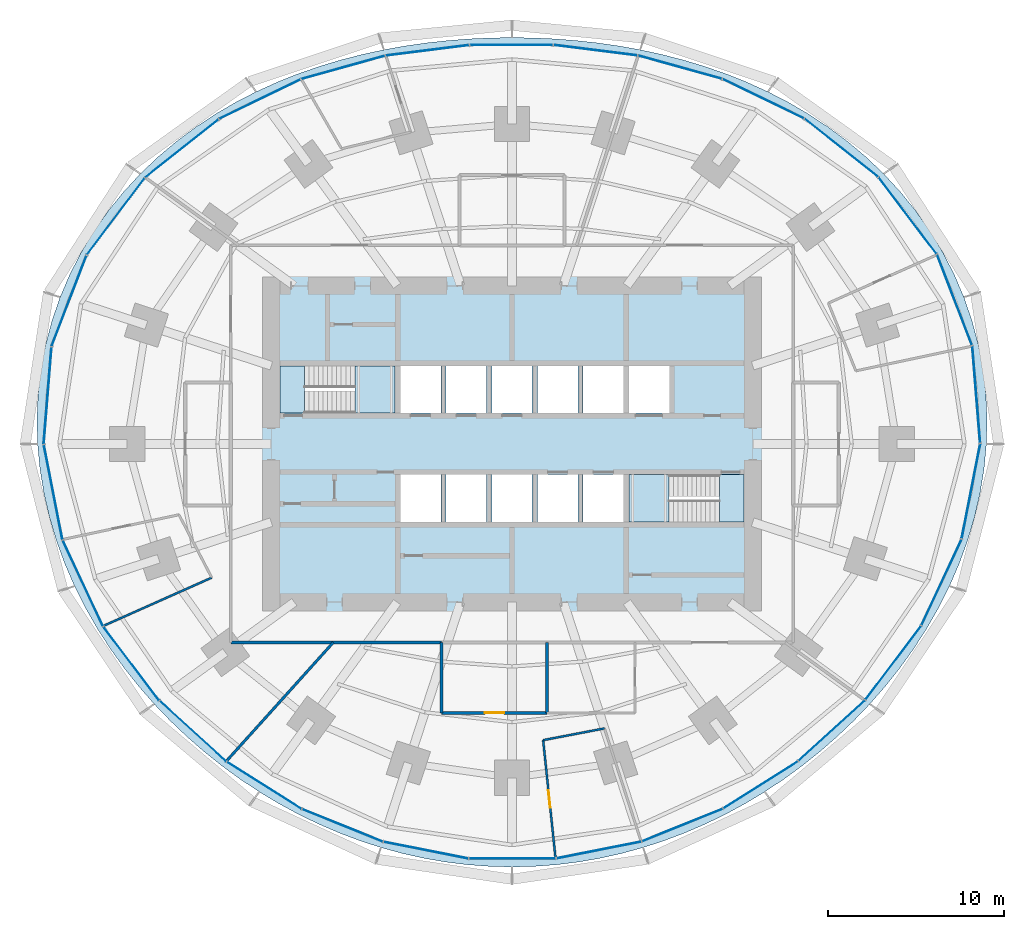
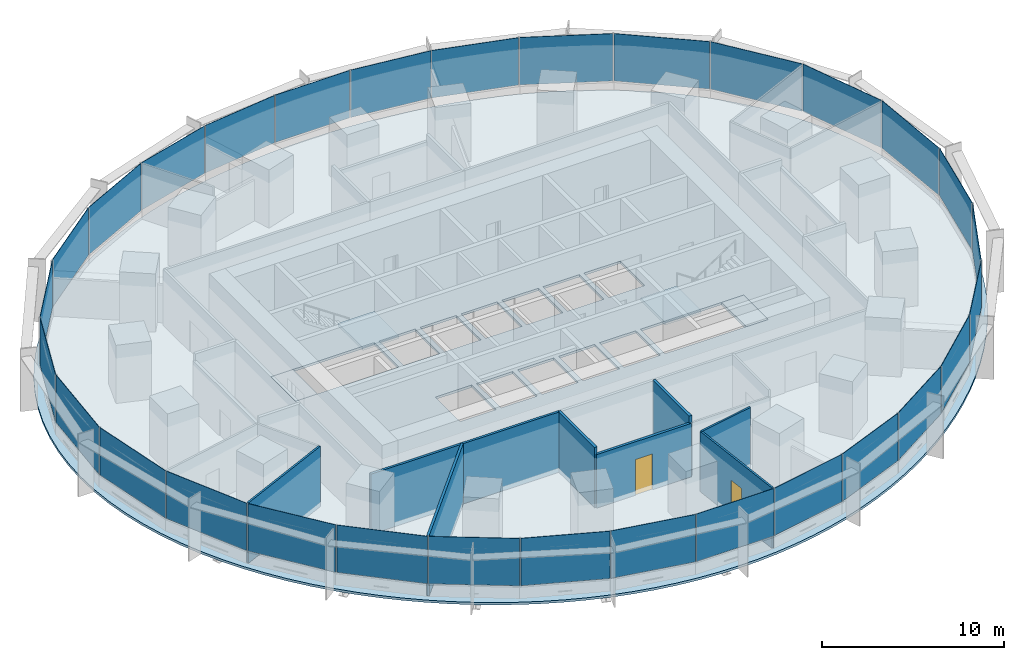
# One storey, part 10 of 15: 30 plates, 8 walls, 5 slabs, 2 doors, 2 openings, 8 elements without a shape of their own.
"""IFC4 building model written with IfcOpenShell, lengths in metres."""

from ifc_helpers import new_model, si_unit, direction, frame, frame_2d, origin, origin_2d, place, context, subcontext, project, spatial, polyline, rectangle, outline, extrude, material, layer, layer_set, type_object, element, fill, aggregate, save


model = new_model("IFC4")

# Units and contexts
model_context = context("Model", 3, precision=1e-05, world=origin(), true_north=direction((0.0, 1.0)))
body_context = subcontext(model_context, "Body", "Model", "MODEL_VIEW")
ifc_project = project(units=[si_unit("LENGTHUNIT", "METRE"), si_unit("AREAUNIT", "SQUARE_METRE"), si_unit("VOLUMEUNIT", "CUBIC_METRE"), si_unit("PLANEANGLEUNIT", "RADIAN"), si_unit("MASSUNIT", "GRAM", prefix="KILO")], contexts=[model_context])

# Site, building, storey
site_placement = place(None, origin())
site = spatial("IfcSite", under=ifc_project, at=site_placement, CompositionType="ELEMENT")
building_placement = place(site_placement, origin())
building = spatial("IfcBuilding", under=site, at=building_placement, Name="Marramba Exchange Tower", CompositionType="ELEMENT")
storey_placement = place(building_placement, frame((0.0, 0.0, 65.800048828125)))
storey = spatial("IfcBuildingStorey", under=building, at=storey_placement, Name="L15", CompositionType="ELEMENT", Elevation=65.800048828125)

# Slab
ifc_material_1 = material(Name="Concrete N40", Category="concrete")
ifc_layer_1 = layer(ifc_material_1, 0.159912109375)
ifc_layer_set_1 = layer_set([ifc_layer_1], Name="Composite floor slab 160")
slab_type_1 = type_object("IfcSlabType", Name="Composite floor slab 160", PredefinedType="FLOOR", material=ifc_layer_set_1)
slab_1_placement = place(storey_placement, frame((0.0, 0.0, -0.16015625)))
element("IfcSlab", 1, at=slab_1_placement, inside=storey, type_object=slab_type_1, Name="Floor slab L15", PredefinedType="FLOOR", context=body_context, shape_type="SweptSolid", body=[
    extrude(outline(polyline([(27.0, 0.0), (27.035888671875, 1.4169921875), (26.97265625, 2.8349609375), (26.80859375, 4.24609375), (26.5439453125, 5.64208984375), (26.179443359375, 7.0146484375), (25.717529296875, 8.356201171875), (25.16162109375, 9.65869140625), (24.516357421875, 10.915283203125), (23.786865234375, 12.1201171875), (22.9794921875, 13.267333984375), (22.10107421875, 14.3525390625), (21.158447265625, 15.37255859375), (20.159423828125, 16.32470703125), (19.11083984375, 17.20751953125), (18.020263671875, 18.020263671875), (16.89453125, 18.763427734375), (15.740478515625, 19.437744140625), (14.563720703125, 20.04541015625), (13.3701171875, 20.588134765625), (12.164306640625, 21.069091796875), (10.9501953125, 21.4912109375), (9.7314453125, 21.857421875), (8.5107421875, 22.1708984375), (7.289794921875, 22.435302734375), (6.06982421875, 22.6533203125), (4.85205078125, 22.827392578125), (3.636474609375, 22.96044921875), (2.423095703125, 23.053955078125), (1.211181640625, 23.109619140625), (0.0, 23.1279296875), (-1.211181640625, 23.109619140625), (-2.423095703125, 23.053955078125), (-3.636474609375, 22.96044921875), (-4.85205078125, 22.827392578125), (-6.06982421875, 22.6533203125), (-7.289794921875, 22.435302734375), (-8.5107421875, 22.1708984375), (-9.7314453125, 21.857421875), (-10.9501953125, 21.4912109375), (-12.164306640625, 21.069091796875), (-13.3701171875, 20.588134765625), (-14.563720703125, 20.04541015625), (-15.740478515625, 19.437744140625), (-16.89453125, 18.763427734375), (-18.020263671875, 18.020263671875), (-19.11083984375, 17.20751953125), (-20.159423828125, 16.32470703125), (-21.158447265625, 15.37255859375), (-22.10107421875, 14.3525390625), (-22.9794921875, 13.267333984375), (-23.786865234375, 12.1201171875), (-24.516357421875, 10.915283203125), (-25.16162109375, 9.65869140625), (-25.717529296875, 8.356201171875), (-26.179443359375, 7.0146484375), (-26.5439453125, 5.64208984375), (-26.80859375, 4.24609375), (-26.97265625, 2.8349609375), (-27.035888671875, 1.4169921875), (-27.0, 0.0), (-26.8671875, -1.407958984375), (-26.64111328125, -2.800048828125), (-26.326171875, -4.169677734375), (-25.927001953125, -5.510986328125), (-25.44921875, -6.819091796875), (-24.8984375, -8.090087890625), (-24.280517578125, -9.320556640625), (-23.60107421875, -10.5078125), (-22.865234375, -11.650390625), (-22.078369140625, -12.7470703125), (-21.244873046875, -13.796630859375), (-20.36865234375, -14.798583984375), (-19.453369140625, -15.753173828125), (-18.502197265625, -16.659423828125), (-17.517578125, -17.517578125), (-16.501953125, -18.327392578125), (-15.457275390625, -19.088134765625), (-14.385009765625, -19.799072265625), (-13.286865234375, -20.459716796875), (-12.164306640625, -21.069091796875), (-11.01904296875, -21.6259765625), (-9.8525390625, -22.129150390625), (-8.66650390625, -22.577392578125), (-7.463134765625, -22.968994140625), (-6.244140625, -23.30322265625), (-5.01171875, -23.578369140625), (-3.7685546875, -23.793701171875), (-2.51708984375, -23.947998046875), (-1.260009765625, -24.041015625), (0.0, -24.072021484375), (1.260009765625, -24.041015625), (2.51708984375, -23.947998046875), (3.7685546875, -23.793701171875), (5.01171875, -23.578369140625), (6.244140625, -23.30322265625), (7.463134765625, -22.968994140625), (8.66650390625, -22.577392578125), (9.8525390625, -22.129150390625), (11.01904296875, -21.6259765625), (12.164306640625, -21.069091796875), (13.286865234375, -20.459716796875), (14.385009765625, -19.799072265625), (15.457275390625, -19.088134765625), (16.501953125, -18.327392578125), (17.517578125, -17.517578125), (18.502197265625, -16.659423828125), (19.453369140625, -15.753173828125), (20.36865234375, -14.798583984375), (21.244873046875, -13.796630859375), (22.078369140625, -12.7470703125), (22.865234375, -11.650390625), (23.60107421875, -10.5078125), (24.280517578125, -9.320556640625), (24.8984375, -8.090087890625), (25.44921875, -6.819091796875), (25.927001953125, -5.510986328125), (26.326171875, -4.169677734375), (26.64111328125, -2.800048828125), (26.8671875, -1.407958984375), (27.0, 0.0)]), holes=[polyline([(-6.35009765625, 1.75), (-4.050048828125, 1.75), (-4.050048828125, 4.449951171875), (-6.35009765625, 4.449951171875), (-6.35009765625, 1.75)]), polyline([(-3.75, 1.75), (-1.449951171875, 1.75), (-1.449951171875, 4.449951171875), (-3.75, 4.449951171875), (-3.75, 1.75)]), polyline([(-1.14990234375, 1.75), (1.14990234375, 1.75), (1.14990234375, 4.449951171875), (-1.14990234375, 4.449951171875), (-1.14990234375, 1.75)]), polyline([(1.449951171875, 1.75), (3.75, 1.75), (3.75, 4.449951171875), (1.449951171875, 4.449951171875), (1.449951171875, 1.75)]), polyline([(4.050048828125, 1.75), (6.35009765625, 1.75), (6.35009765625, 4.449951171875), (4.050048828125, 4.449951171875), (4.050048828125, 1.75)]), polyline([(-6.35009765625, -4.449951171875), (-4.050048828125, -4.449951171875), (-4.050048828125, -1.75), (-6.35009765625, -1.75), (-6.35009765625, -4.449951171875)]), polyline([(-3.75, -4.449951171875), (-1.449951171875, -4.449951171875), (-1.449951171875, -1.75), (-3.75, -1.75), (-3.75, -4.449951171875)]), polyline([(-1.14990234375, -4.449951171875), (1.14990234375, -4.449951171875), (1.14990234375, -1.75), (-1.14990234375, -1.75), (-1.14990234375, -4.449951171875)]), polyline([(1.449951171875, -4.449951171875), (3.75, -4.449951171875), (3.75, -1.75), (1.449951171875, -1.75), (1.449951171875, -4.449951171875)]), polyline([(4.050048828125, -4.449951171875), (6.35009765625, -4.449951171875), (6.35009765625, -1.75), (4.050048828125, -1.75), (4.050048828125, -4.449951171875)]), polyline([(6.64990234375, 1.75), (8.949951171875, 1.75), (8.949951171875, 4.449951171875), (6.64990234375, 4.449951171875), (6.64990234375, 1.75)]), polyline([(-13.199951171875, 1.75), (-6.64990234375, 1.75), (-6.64990234375, 4.449951171875), (-13.199951171875, 4.449951171875), (-13.199951171875, 1.75)]), polyline([(6.64990234375, -4.449951171875), (13.199951171875, -4.449951171875), (13.199951171875, -1.75), (6.64990234375, -1.75), (6.64990234375, -4.449951171875)])]), origin(), (0.0, 0.0, 1.0), 0.16015625),
])

# Stair, slabs
ifc_material_2 = material(Name="Concrete N40 (40 MPa)", Category="concrete")
stair_type_1 = type_object("IfcStairType", Name="Exit stair ST1 4200 x 1250", PredefinedType="HALF_TURN_STAIR", material=ifc_material_2)
stair_1_placement = place(storey_placement, origin())
stair_1 = element("IfcStair", 2, at=stair_1_placement, inside=storey, type_object=stair_type_1, Name="Exit stair ST1 L15", PredefinedType="HALF_TURN_STAIR")
ifc_layer_2 = layer(ifc_material_2, 0.199951171875)
ifc_layer_set_2 = layer_set([ifc_layer_2], Name="Stair landing 200")
slab_type_2 = type_object("IfcSlabType", Name="Stair landing 200", PredefinedType="LANDING", material=ifc_layer_set_2)
slab_2_placement = place(storey_placement, frame((0.0, 0.0, -0.199951171875)))
slab_2 = element("IfcSlab", 3, at=slab_2_placement, type_object=slab_type_2, Name="ST1 landing 1", PredefinedType="LANDING", context=body_context, shape_type="SweptSolid", body=[
    extrude(outline(polyline([(-13.199951171875, 1.75), (-11.800048828125, 1.75), (-11.800048828125, 4.449951171875), (-13.199951171875, 4.449951171875), (-13.199951171875, 1.75)])), origin(), (0.0, 0.0, 1.0), 0.199951171875),
])
slab_3_placement = place(storey_placement, frame((0.0, 0.0, 1.89990234375)))
slab_3 = element("IfcSlab", 4, at=slab_3_placement, type_object=slab_type_2, Name="ST1 landing 2", PredefinedType="LANDING", context=body_context, shape_type="SweptSolid", body=[
    extrude(outline(polyline([(-8.93994140625, 1.75), (-6.64990234375, 1.75), (-6.64990234375, 4.449951171875), (-8.93994140625, 4.449951171875), (-8.93994140625, 1.75)])), origin(), (0.0, 0.0, 1.0), 0.199951171875),
])
aggregate(stair_1, [slab_2, slab_3])

stair_type_2 = type_object("IfcStairType", Name="Exit stair ST2 4200 x 1250", PredefinedType="HALF_TURN_STAIR", material=ifc_material_2)
stair_2_placement = place(storey_placement, origin())
stair_2 = element("IfcStair", 5, at=stair_2_placement, inside=storey, type_object=stair_type_2, Name="Exit stair ST2 L15", PredefinedType="HALF_TURN_STAIR")
slab_4_placement = place(storey_placement, frame((0.0, 0.0, -0.199951171875)))
slab_4 = element("IfcSlab", 6, at=slab_4_placement, type_object=slab_type_2, Name="ST2 landing 1", PredefinedType="LANDING", context=body_context, shape_type="SweptSolid", body=[
    extrude(outline(polyline([(11.800048828125, -4.449951171875), (13.199951171875, -4.449951171875), (13.199951171875, -1.75), (11.800048828125, -1.75), (11.800048828125, -4.449951171875)])), origin(), (0.0, 0.0, 1.0), 0.199951171875),
])
slab_5_placement = place(storey_placement, frame((0.0, 0.0, 1.89990234375)))
slab_5 = element("IfcSlab", 7, at=slab_5_placement, type_object=slab_type_2, Name="ST2 landing 2", PredefinedType="LANDING", context=body_context, shape_type="SweptSolid", body=[
    extrude(outline(polyline([(6.64990234375, -4.449951171875), (8.93994140625, -4.449951171875), (8.93994140625, -1.75), (6.64990234375, -1.75), (6.64990234375, -4.449951171875)])), origin(), (0.0, 0.0, 1.0), 0.199951171875),
])
aggregate(stair_2, [slab_4, slab_5])

# Curtain wall, plates
ifc_material_3 = material(Name="Aluminium framing, bronze anodised", Category="aluminium")
curtain_wall_type = type_object("IfcCurtainWallType", Name="Trading floor ribbon curtain wall", PredefinedType="USERDEFINED", material=ifc_material_3)
curtain_wall_1_placement = place(storey_placement, origin())
curtain_wall_1 = element("IfcCurtainWall", 8, at=curtain_wall_1_placement, inside=storey, type_object=curtain_wall_type, Name="Curtain wall CW3 L15 F01-F05", ObjectType="RIBBON CURTAIN WALL", PredefinedType="USERDEFINED")
ifc_material_4 = material(Name="Double glazed unit 10 + 12 + 8.76, bronze tinted", Category="glass")
ifc_layer_3 = layer(ifc_material_4, 0.03076171875)
ifc_layer_set_3 = layer_set([ifc_layer_3], Name="Trading floor ribbon curtain wall panel")
plate_type = type_object("IfcPlateType", Name="Trading floor ribbon curtain wall panel", PredefinedType="CURTAIN_PANEL", material=ifc_layer_set_3)
plate_1_placement = place(storey_placement, frame((26.42333984375, 2.814453125, 0.85986328125), z_axis=(0.0, 0.0, 1.0), x_axis=(-0.080275225953, 0.996772736434, 0.0)))
plate_1 = element("IfcPlate", 9, at=plate_1_placement, type_object=plate_type, Name="CW3 vision panel", PredefinedType="CURTAIN_PANEL", context=body_context, shape_type="SweptSolid", body=[
    extrude(rectangle(XDim=5.52734375, YDim=0.03076171875, at=origin_2d()), origin(), (0.0, 0.0, 1.0), 3.179931640625),
])
plate_2_placement = place(storey_placement, frame((25.188232421875, 8.19921875, 0.85986328125), z_axis=(0.0, 0.0, 1.0), x_axis=(-0.359525510698, 0.933135256626, 0.0)))
plate_2 = element("IfcPlate", 10, at=plate_2_placement, type_object=plate_type, Name="CW3 vision panel", PredefinedType="CURTAIN_PANEL", context=body_context, shape_type="SweptSolid", body=[
    extrude(rectangle(XDim=5.5166015625, YDim=0.03076171875, at=origin_2d()), origin(), (0.0, 0.0, 1.0), 3.179931640625),
])
plate_3_placement = place(storey_placement, frame((22.517822265625, 12.993896484375, 0.85986328125), z_axis=(0.0, 0.0, 1.0), x_axis=(-0.602989765036, 0.797748922445, 0.0)))
plate_3 = element("IfcPlate", 11, at=plate_3_placement, type_object=plate_type, Name="CW3 vision panel", PredefinedType="CURTAIN_PANEL", context=body_context, shape_type="SweptSolid", body=[
    extrude(rectangle(XDim=5.44775390625, YDim=0.03076171875, at=origin_2d()), origin(), (0.0, 0.0, 1.0), 3.179931640625),
])
plate_4_placement = place(storey_placement, frame((18.744384765625, 16.853759765625, 0.85986328125), z_axis=(0.0, 0.0, 1.0), x_axis=(-0.784087949432, 0.620649730166, 0.0)))
plate_4 = element("IfcPlate", 12, at=plate_4_placement, type_object=plate_type, Name="CW3 vision panel", PredefinedType="CURTAIN_PANEL", context=body_context, shape_type="SweptSolid", body=[
    extrude(rectangle(XDim=5.315673828125, YDim=0.03076171875, at=origin_2d()), origin(), (0.0, 0.0, 1.0), 3.179931640625),
])
plate_5_placement = place(storey_placement, frame((14.2978515625, 19.647705078125, 0.85986328125), z_axis=(0.0, 0.0, 1.0), x_axis=(-0.899963433508, 0.43596538664, 0.0)))
plate_5 = element("IfcPlate", 13, at=plate_5_placement, type_object=plate_type, Name="CW3 vision panel", PredefinedType="CURTAIN_PANEL", context=body_context, shape_type="SweptSolid", body=[
    extrude(rectangle(XDim=5.13037109375, YDim=0.03076171875, at=origin_2d()), origin(), (0.0, 0.0, 1.0), 3.179931640625),
])
aggregate(curtain_wall_1, [plate_1, plate_2, plate_3, plate_4, plate_5])

curtain_wall_2_placement = place(storey_placement, origin())
curtain_wall_2 = element("IfcCurtainWall", 14, at=curtain_wall_2_placement, inside=storey, type_object=curtain_wall_type, Name="Curtain wall CW3 L15 F06-F10", ObjectType="RIBBON CURTAIN WALL", PredefinedType="USERDEFINED")
plate_6_placement = place(storey_placement, frame((9.556396484375, 21.4423828125, 0.85986328125), z_axis=(0.0, 0.0, 1.0), x_axis=(-0.963472096649, 0.267808735815, 0.0)))
plate_6 = element("IfcPlate", 15, at=plate_6_placement, type_object=plate_type, Name="CW3 vision panel", PredefinedType="CURTAIN_PANEL", context=body_context, shape_type="SweptSolid", body=[
    extrude(rectangle(XDim=4.929931640625, YDim=0.03076171875, at=origin_2d()), origin(), (0.0, 0.0, 1.0), 3.179931640625),
])
plate_7_placement = place(storey_placement, frame((4.754150390625, 22.407958984375, 0.85986328125), z_axis=(0.0, 0.0, 1.0), x_axis=(-0.992172768738, 0.124872723099, 0.0)))
plate_7 = element("IfcPlate", 16, at=plate_7_placement, type_object=plate_type, Name="CW3 vision panel", PredefinedType="CURTAIN_PANEL", context=body_context, shape_type="SweptSolid", body=[
    extrude(rectangle(XDim=4.77294921875, YDim=0.03076171875, at=origin_2d()), origin(), (0.0, 0.0, 1.0), 3.179931640625),
])
plate_8_placement = place(storey_placement, frame((-0.030029296875, 22.7060546875, 0.85986328125), z_axis=(0.0, 0.0, 1.0), x_axis=(-1.0, 0.0, 0.0)))
plate_8 = element("IfcPlate", 17, at=plate_8_placement, type_object=plate_type, Name="CW3 vision panel", PredefinedType="CURTAIN_PANEL", context=body_context, shape_type="SweptSolid", body=[
    extrude(rectangle(XDim=4.712890625, YDim=0.03076171875, at=origin_2d()), origin(), (0.0, 0.0, 1.0), 3.179931640625),
])
plate_9_placement = place(storey_placement, frame((-4.813720703125, 22.400390625, 0.85986328125), z_axis=(0.0, 0.0, 1.0), x_axis=(-0.992172768738, -0.124872723099, 0.0)))
plate_9 = element("IfcPlate", 18, at=plate_9_placement, type_object=plate_type, Name="CW3 vision panel", PredefinedType="CURTAIN_PANEL", context=body_context, shape_type="SweptSolid", body=[
    extrude(rectangle(XDim=4.77294921875, YDim=0.03076171875, at=origin_2d()), origin(), (0.0, 0.0, 1.0), 3.179931640625),
])
plate_10_placement = place(storey_placement, frame((-9.6142578125, 21.42626953125, 0.85986328125), z_axis=(0.0, 0.0, 1.0), x_axis=(-0.963472096649, -0.267808735815, 0.0)))
plate_10 = element("IfcPlate", 19, at=plate_10_placement, type_object=plate_type, Name="CW3 vision panel", PredefinedType="CURTAIN_PANEL", context=body_context, shape_type="SweptSolid", body=[
    extrude(rectangle(XDim=4.929931640625, YDim=0.03076171875, at=origin_2d()), origin(), (0.0, 0.0, 1.0), 3.179931640625),
])
aggregate(curtain_wall_2, [plate_6, plate_7, plate_8, plate_9, plate_10])

curtain_wall_3_placement = place(storey_placement, origin())
curtain_wall_3 = element("IfcCurtainWall", 20, at=curtain_wall_3_placement, inside=storey, type_object=curtain_wall_type, Name="Curtain wall CW3 L15 F11-F15", ObjectType="RIBBON CURTAIN WALL", PredefinedType="USERDEFINED")
plate_11_placement = place(storey_placement, frame((-14.351806640625, 19.62158203125, 0.85986328125), z_axis=(0.0, 0.0, 1.0), x_axis=(-0.899963433508, -0.43596538664, 0.0)))
plate_11 = element("IfcPlate", 21, at=plate_11_placement, type_object=plate_type, Name="CW3 vision panel", PredefinedType="CURTAIN_PANEL", context=body_context, shape_type="SweptSolid", body=[
    extrude(rectangle(XDim=5.13037109375, YDim=0.03076171875, at=origin_2d()), origin(), (0.0, 0.0, 1.0), 3.179931640625),
])
plate_12_placement = place(storey_placement, frame((-18.79150390625, 16.81640625, 0.85986328125), z_axis=(0.0, 0.0, 1.0), x_axis=(-0.784087949432, -0.620649730166, 0.0)))
plate_12 = element("IfcPlate", 22, at=plate_12_placement, type_object=plate_type, Name="CW3 vision panel", PredefinedType="CURTAIN_PANEL", context=body_context, shape_type="SweptSolid", body=[
    extrude(rectangle(XDim=5.315673828125, YDim=0.03076171875, at=origin_2d()), origin(), (0.0, 0.0, 1.0), 3.179931640625),
])
plate_13_placement = place(storey_placement, frame((-22.553955078125, 12.946044921875, 0.85986328125), z_axis=(0.0, 0.0, 1.0), x_axis=(-0.602989765036, -0.797748922445, 0.0)))
plate_13 = element("IfcPlate", 23, at=plate_13_placement, type_object=plate_type, Name="CW3 vision panel", PredefinedType="CURTAIN_PANEL", context=body_context, shape_type="SweptSolid", body=[
    extrude(rectangle(XDim=5.44775390625, YDim=0.03076171875, at=origin_2d()), origin(), (0.0, 0.0, 1.0), 3.179931640625),
])
plate_14_placement = place(storey_placement, frame((-25.209716796875, 8.14306640625, 0.85986328125), z_axis=(0.0, 0.0, 1.0), x_axis=(-0.359525510698, -0.933135256626, 0.0)))
plate_14 = element("IfcPlate", 24, at=plate_14_placement, type_object=plate_type, Name="CW3 vision panel", PredefinedType="CURTAIN_PANEL", context=body_context, shape_type="SweptSolid", body=[
    extrude(rectangle(XDim=5.5166015625, YDim=0.03076171875, at=origin_2d()), origin(), (0.0, 0.0, 1.0), 3.179931640625),
])
plate_15_placement = place(storey_placement, frame((-26.42822265625, 2.754638671875, 0.85986328125), z_axis=(0.0, 0.0, 1.0), x_axis=(-0.080275225953, -0.996772736434, 0.0)))
plate_15 = element("IfcPlate", 25, at=plate_15_placement, type_object=plate_type, Name="CW3 vision panel", PredefinedType="CURTAIN_PANEL", context=body_context, shape_type="SweptSolid", body=[
    extrude(rectangle(XDim=5.52734375, YDim=0.03076171875, at=origin_2d()), origin(), (0.0, 0.0, 1.0), 3.179931640625),
])
aggregate(curtain_wall_3, [plate_11, plate_12, plate_13, plate_14, plate_15])

curtain_wall_4_placement = place(storey_placement, origin())
curtain_wall_4 = element("IfcCurtainWall", 26, at=curtain_wall_4_placement, inside=storey, type_object=curtain_wall_type, Name="Curtain wall CW3 L15 F16-F20", ObjectType="RIBBON CURTAIN WALL", PredefinedType="USERDEFINED")
plate_16_placement = place(storey_placement, frame((-26.111572265625, -2.74853515625, 0.85986328125), z_axis=(0.0, 0.0, 1.0), x_axis=(0.1922485756, -0.981346261612, 0.0)))
plate_16 = element("IfcPlate", 27, at=plate_16_placement, type_object=plate_type, Name="CW3 vision panel", PredefinedType="CURTAIN_PANEL", context=body_context, shape_type="SweptSolid", body=[
    extrude(rectangle(XDim=5.4814453125, YDim=0.03076171875, at=origin_2d()), origin(), (0.0, 0.0, 1.0), 3.179931640625),
])
plate_17_placement = place(storey_placement, frame((-24.420166015625, -7.928955078125, 0.85986328125), z_axis=(0.0, 0.0, 1.0), x_axis=(0.423477206492, -0.905906758768, 0.0)))
plate_17 = element("IfcPlate", 28, at=plate_17_placement, type_object=plate_type, Name="CW3 vision panel", PredefinedType="CURTAIN_PANEL", context=body_context, shape_type="SweptSolid", body=[
    extrude(rectangle(XDim=5.379150390625, YDim=0.03076171875, at=origin_2d()), origin(), (0.0, 0.0, 1.0), 3.179931640625),
])
plate_18_placement = place(storey_placement, frame((-21.665283203125, -12.503173828125, 0.85986328125), z_axis=(0.0, 0.0, 1.0), x_axis=(0.603040473588, -0.797710591138, 0.0)))
plate_18 = element("IfcPlate", 29, at=plate_18_placement, type_object=plate_type, Name="CW3 vision panel", PredefinedType="CURTAIN_PANEL", context=body_context, shape_type="SweptSolid", body=[
    extrude(rectangle(XDim=5.239501953125, YDim=0.03076171875, at=origin_2d()), origin(), (0.0, 0.0, 1.0), 3.179931640625),
])
plate_19_placement = place(storey_placement, frame((-18.154541015625, -16.350341796875, 0.85986328125), z_axis=(0.0, 0.0, 1.0), x_axis=(0.739589581463, -0.673058133441, 0.0)))
plate_19 = element("IfcPlate", 30, at=plate_19_placement, type_object=plate_type, Name="CW3 vision panel", PredefinedType="CURTAIN_PANEL", context=body_context, shape_type="SweptSolid", body=[
    extrude(rectangle(XDim=5.101806640625, YDim=0.03076171875, at=origin_2d()), origin(), (0.0, 0.0, 1.0), 3.179931640625),
])
plate_20_placement = place(storey_placement, frame((-14.103271484375, -19.4326171875, 0.85986328125), z_axis=(0.0, 0.0, 1.0), x_axis=(0.845790826298, -0.533514646612, 0.0)))
plate_20 = element("IfcPlate", 31, at=plate_20_placement, type_object=plate_type, Name="CW3 vision panel", PredefinedType="CURTAIN_PANEL", context=body_context, shape_type="SweptSolid", body=[
    extrude(rectangle(XDim=4.99853515625, YDim=0.03076171875, at=origin_2d()), origin(), (0.0, 0.0, 1.0), 3.179931640625),
])
aggregate(curtain_wall_4, [plate_16, plate_17, plate_18, plate_19, plate_20])

curtain_wall_5_placement = place(storey_placement, origin())
curtain_wall_5 = element("IfcCurtainWall", 32, at=curtain_wall_5_placement, inside=storey, type_object=curtain_wall_type, Name="Curtain wall CW3 L15 F21-F25", ObjectType="RIBBON CURTAIN WALL", PredefinedType="USERDEFINED")
plate_21_placement = place(storey_placement, frame((-9.644287109375, -21.71240234375, 0.85986328125), z_axis=(0.0, 0.0, 1.0), x_axis=(0.927340673283, -0.374218219325, 0.0)))
plate_21 = element("IfcPlate", 33, at=plate_21_placement, type_object=plate_type, Name="CW3 vision panel", PredefinedType="CURTAIN_PANEL", context=body_context, shape_type="SweptSolid", body=[
    extrude(rectangle(XDim=4.9375, YDim=0.03076171875, at=origin_2d()), origin(), (0.0, 0.0, 1.0), 3.179931640625),
])
plate_22_placement = place(storey_placement, frame((-4.88818359375, -23.1240234375, 0.85986328125), z_axis=(0.0, 0.0, 1.0), x_axis=(0.98100920064, -0.193961202977, 0.0)))
plate_22 = element("IfcPlate", 34, at=plate_22_placement, type_object=plate_type, Name="CW3 vision panel", PredefinedType="CURTAIN_PANEL", context=body_context, shape_type="SweptSolid", body=[
    extrude(rectangle(XDim=4.908935546875, YDim=0.03076171875, at=origin_2d()), origin(), (0.0, 0.0, 1.0), 3.179931640625),
])
plate_23_placement = place(storey_placement, frame((0.030029296875, -23.599853515625, 0.85986328125), z_axis=(0.0, 0.0, 1.0), x_axis=(1.0, 0.0, 0.0)))
plate_23 = element("IfcPlate", 35, at=plate_23_placement, type_object=plate_type, Name="CW3 vision panel", PredefinedType="CURTAIN_PANEL", context=body_context, shape_type="SweptSolid", body=[
    extrude(rectangle(XDim=4.90087890625, YDim=0.03076171875, at=origin_2d()), origin(), (0.0, 0.0, 1.0), 3.179931640625),
])
plate_24_placement = place(storey_placement, frame((4.947021484375, -23.1123046875, 0.85986328125), z_axis=(0.0, 0.0, 1.0), x_axis=(0.98100920064, 0.193961202977, 0.0)))
plate_24 = element("IfcPlate", 36, at=plate_24_placement, type_object=plate_type, Name="CW3 vision panel", PredefinedType="CURTAIN_PANEL", context=body_context, shape_type="SweptSolid", body=[
    extrude(rectangle(XDim=4.908935546875, YDim=0.03076171875, at=origin_2d()), origin(), (0.0, 0.0, 1.0), 3.179931640625),
])
plate_25_placement = place(storey_placement, frame((9.699951171875, -21.68994140625, 0.85986328125), z_axis=(0.0, 0.0, 1.0), x_axis=(0.927340673283, 0.374218219325, 0.0)))
plate_25 = element("IfcPlate", 37, at=plate_25_placement, type_object=plate_type, Name="CW3 vision panel", PredefinedType="CURTAIN_PANEL", context=body_context, shape_type="SweptSolid", body=[
    extrude(rectangle(XDim=4.9375, YDim=0.03076171875, at=origin_2d()), origin(), (0.0, 0.0, 1.0), 3.179931640625),
])
aggregate(curtain_wall_5, [plate_21, plate_22, plate_23, plate_24, plate_25])

curtain_wall_6_placement = place(storey_placement, origin())
curtain_wall_6 = element("IfcCurtainWall", 38, at=curtain_wall_6_placement, inside=storey, type_object=curtain_wall_type, Name="Curtain wall CW3 L15 F26-F30", ObjectType="RIBBON CURTAIN WALL", PredefinedType="USERDEFINED")
plate_26_placement = place(storey_placement, frame((14.15380859375, -19.400634765625, 0.85986328125), z_axis=(0.0, 0.0, 1.0), x_axis=(0.845790826298, 0.533514646612, 0.0)))
plate_26 = element("IfcPlate", 39, at=plate_26_placement, type_object=plate_type, Name="CW3 vision panel", PredefinedType="CURTAIN_PANEL", context=body_context, shape_type="SweptSolid", body=[
    extrude(rectangle(XDim=4.99853515625, YDim=0.03076171875, at=origin_2d()), origin(), (0.0, 0.0, 1.0), 3.179931640625),
])
plate_27_placement = place(storey_placement, frame((18.19873046875, -16.309814453125, 0.85986328125), z_axis=(0.0, 0.0, 1.0), x_axis=(0.739589581463, 0.673058133441, 0.0)))
plate_27 = element("IfcPlate", 40, at=plate_27_placement, type_object=plate_type, Name="CW3 vision panel", PredefinedType="CURTAIN_PANEL", context=body_context, shape_type="SweptSolid", body=[
    extrude(rectangle(XDim=5.101806640625, YDim=0.03076171875, at=origin_2d()), origin(), (0.0, 0.0, 1.0), 3.179931640625),
])
plate_28_placement = place(storey_placement, frame((21.701416015625, -12.455322265625, 0.85986328125), z_axis=(0.0, 0.0, 1.0), x_axis=(0.603040473588, 0.797710591138, 0.0)))
plate_28 = element("IfcPlate", 41, at=plate_28_placement, type_object=plate_type, Name="CW3 vision panel", PredefinedType="CURTAIN_PANEL", context=body_context, shape_type="SweptSolid", body=[
    extrude(rectangle(XDim=5.239501953125, YDim=0.03076171875, at=origin_2d()), origin(), (0.0, 0.0, 1.0), 3.179931640625),
])
plate_29_placement = place(storey_placement, frame((24.44580078125, -7.874755859375, 0.85986328125), z_axis=(0.0, 0.0, 1.0), x_axis=(0.423477206492, 0.905906758768, 0.0)))
plate_29 = element("IfcPlate", 42, at=plate_29_placement, type_object=plate_type, Name="CW3 vision panel", PredefinedType="CURTAIN_PANEL", context=body_context, shape_type="SweptSolid", body=[
    extrude(rectangle(XDim=5.379150390625, YDim=0.03076171875, at=origin_2d()), origin(), (0.0, 0.0, 1.0), 3.179931640625),
])
plate_30_placement = place(storey_placement, frame((26.123046875, -2.689697265625, 0.85986328125), z_axis=(0.0, 0.0, 1.0), x_axis=(0.1922485756, 0.981346261612, 0.0)))
plate_30 = element("IfcPlate", 43, at=plate_30_placement, type_object=plate_type, Name="CW3 vision panel", PredefinedType="CURTAIN_PANEL", context=body_context, shape_type="SweptSolid", body=[
    extrude(rectangle(XDim=5.4814453125, YDim=0.03076171875, at=origin_2d()), origin(), (0.0, 0.0, 1.0), 3.179931640625),
])
aggregate(curtain_wall_6, [plate_26, plate_27, plate_28, plate_29, plate_30])

# Wall
ifc_material_5 = material(Name="Plasterboard on staggered double steel studs, acoustic insulation", Category="steel")
ifc_layer_4 = layer(ifc_material_5, 0.169921875)
ifc_layer_set_4 = layer_set([ifc_layer_4], Name="Acoustic partition 170")
wall_type_1 = type_object("IfcWallType", Name="Acoustic partition 170", PredefinedType="PARTITIONING", material=ifc_layer_set_4)
wall_1_placement = place(storey_placement, frame((-4.0, -11.300048828125, 0.0), z_axis=(0.0, 0.0, 1.0), x_axis=(0.0, -1.0, 0.0)))
element("IfcWall", 44, at=wall_1_placement, inside=storey, type_object=wall_type_1, Name="Acoustic partition L15 08", PredefinedType="PARTITIONING", context=body_context, shape_type="SweptSolid", body=[
    extrude(rectangle(XDim=4.0, YDim=0.169921875, at=frame_2d((2.0, 0.0))), origin(), (0.0, 0.0, 1.0), 4.0400390625),
])

# Wall, opening, door
wall_2_placement = place(storey_placement, frame((-4.0, -15.300048828125, 0.0), z_axis=(0.0, 0.0, 1.0), x_axis=(1.0, 0.0, 0.0)))
wall_2 = element("IfcWall", 45, at=wall_2_placement, inside=storey, type_object=wall_type_1, Name="Acoustic partition L15 10", PredefinedType="PARTITIONING", context=body_context, shape_type="SweptSolid", body=[
    extrude(rectangle(XDim=6.0, YDim=0.169921875, at=frame_2d((3.0, 0.0))), origin(), (0.0, 0.0, 1.0), 3.5859375),
])
opening_1_placement = place(wall_2_placement, frame((2.449951171875, 0.0, 0.0)))
opening_1 = element("IfcOpeningElement", 46, at=opening_1_placement, cuts=wall_2, Name="Opening D15", PredefinedType="OPENING", context=body_context, shape_type="SweptSolid", body=[
    extrude(rectangle(XDim=1.10009765625, YDim=2.39990234375, at=frame_2d((0.550048828125, 1.199951171875))), frame((0.0, 0.094970703125, 0.0), z_axis=(0.0, -1.0, 0.0), x_axis=(1.0, 0.0, 0.0)), (0.0, 0.0, 1.0), 0.18994140625),
])
ifc_material_6 = material(Name="Timber door", Category="wood")
door_type_1 = type_object("IfcDoorType", Name="Glazed meeting room door 1100x2400", OperationType="SINGLE_SWING_LEFT", PredefinedType="DOOR", material=ifc_material_6)
door_1_placement = place(opening_1_placement, origin())
door_1 = element("IfcDoor", 47, at=door_1_placement, inside=storey, type_object=door_type_1, Name="D15 Meeting Room 2 L15", OperationType="SINGLE_SWING_RIGHT", OverallHeight=2.39990234375, OverallWidth=1.10009765625, PredefinedType="DOOR", context=body_context, shape_type="SweptSolid", body=[
    extrude(rectangle(XDim=1.10009765625, YDim=2.39990234375, at=frame_2d((0.550048828125, 1.199951171875))), frame((0.0, 0.02490234375, 0.0), z_axis=(0.0, -1.0, 0.0), x_axis=(1.0, 0.0, 0.0)), (0.0, 0.0, 1.0), 0.050048828125),
])
fill(opening_1, door_1)

# Walls
wall_3_placement = place(storey_placement, frame((2.0, -11.300048828125, 0.0), z_axis=(0.0, 0.0, 1.0), x_axis=(0.0, -1.0, 0.0)))
element("IfcWall", 48, at=wall_3_placement, inside=storey, type_object=wall_type_1, Name="Acoustic partition L15 12", PredefinedType="PARTITIONING", context=body_context, shape_type="SweptSolid", body=[
    extrude(rectangle(XDim=4.0, YDim=0.169921875, at=frame_2d((2.0, 0.0))), origin(), (0.0, 0.0, 1.0), 4.0400390625),
])
ifc_material_7 = material(Name="Plasterboard on steel studs", Category="steel")
ifc_layer_5 = layer(ifc_material_7, 0.1201171875)
ifc_layer_set_5 = layer_set([ifc_layer_5], Name="Partition 120")
wall_type_2 = type_object("IfcWallType", Name="Partition 120", PredefinedType="PARTITIONING", material=ifc_layer_set_5)
wall_4_placement = place(storey_placement, frame((-23.208251953125, -10.3330078125, 0.0), z_axis=(0.0, 0.0, 1.0), x_axis=(0.91354990356, 0.406726657235, 0.0)))
element("IfcWall", 49, at=wall_4_placement, inside=storey, type_object=wall_type_2, Name="Partition L15 04", PredefinedType="PARTITIONING", context=body_context, shape_type="SweptSolid", body=[
    extrude(rectangle(XDim=6.699951171875, YDim=0.1201171875, at=frame_2d((3.35009765625, 0.0))), origin(), (0.0, 0.0, 1.0), 4.0400390625),
])

# Wall, opening, door
wall_5_placement = place(storey_placement, frame((1.771728515625, -16.857177734375, 0.0), z_axis=(0.0, 0.0, 1.0), x_axis=(0.104542522915, -0.994520417539, 0.0)))
wall_5 = element("IfcWall", 50, at=wall_5_placement, inside=storey, type_object=wall_type_2, Name="Partition L15 11", PredefinedType="PARTITIONING", context=body_context, shape_type="SweptSolid", body=[
    extrude(rectangle(XDim=6.699951171875, YDim=0.1201171875, at=frame_2d((3.35009765625, 0.0))), origin(), (0.0, 0.0, 1.0), 4.0400390625),
])
opening_2_placement = place(wall_5_placement, frame((2.875, 0.0, 0.0)))
opening_2 = element("IfcOpeningElement", 51, at=opening_2_placement, cuts=wall_5, Name="Opening D9", PredefinedType="OPENING", context=body_context, shape_type="SweptSolid", body=[
    extrude(rectangle(XDim=1.0, YDim=2.39990234375, at=frame_2d((0.5, 1.199951171875))), frame((0.0, 0.070068359375, 0.0), z_axis=(0.0, -1.0, 0.0), x_axis=(1.0, 0.0, 0.0)), (0.0, 0.0, 1.0), 0.14013671875),
])
door_type_2 = type_object("IfcDoorType", Name="Room door 1000x2400", OperationType="SINGLE_SWING_LEFT", PredefinedType="DOOR", material=ifc_material_6)
door_2_placement = place(opening_2_placement, origin())
door_2 = element("IfcDoor", 52, at=door_2_placement, inside=storey, type_object=door_type_2, Name="D9 Firm Principal Office 3 L15", OperationType="SINGLE_SWING_RIGHT", OverallHeight=2.39990234375, OverallWidth=1.0, PredefinedType="DOOR", context=body_context, shape_type="SweptSolid", body=[
    extrude(rectangle(XDim=1.0, YDim=2.39990234375, at=frame_2d((0.5, 1.199951171875))), frame((0.0, 0.02490234375, 0.0), z_axis=(0.0, -1.0, 0.0), x_axis=(1.0, 0.0, 0.0)), (0.0, 0.0, 1.0), 0.050048828125),
])
fill(opening_2, door_2)

# Walls
wall_6_placement = place(storey_placement, frame((5.259765625, -16.18798828125, 0.0), z_axis=(0.0, 0.0, 1.0), x_axis=(-0.982089213151, -0.188416499842, 0.0)))
element("IfcWall", 53, at=wall_6_placement, inside=storey, type_object=wall_type_2, Name="Partition L15 13", PredefinedType="PARTITIONING", context=body_context, shape_type="SweptSolid", body=[
    extrude(rectangle(XDim=3.5517578125, YDim=0.1201171875, at=frame_2d((1.77587890625, 0.0))), origin(), (0.0, 0.0, 1.0), 4.0400390625),
])
ifc_material_8 = material(Name="Fire-rated plasterboard on steel studs, acoustic insulation", Category="steel")
ifc_layer_6 = layer(ifc_material_8, 0.14990234375)
ifc_layer_set_6 = layer_set([ifc_layer_6], Name="Tenancy wall 150")
wall_type_3 = type_object("IfcWallType", Name="Tenancy wall 150", PredefinedType="PARTITIONING", material=ifc_layer_set_6)
wall_7_placement = place(storey_placement, frame((-10.174560546875, -11.300048828125, 0.0), z_axis=(0.0, 0.0, 1.0), x_axis=(-0.669136564673, -0.743139460544, 0.0)))
element("IfcWall", 54, at=wall_7_placement, inside=storey, type_object=wall_type_3, Name="Tenancy wall L15 06", PredefinedType="PARTITIONING", context=body_context, shape_type="SweptSolid", body=[
    extrude(rectangle(XDim=9.0263671875, YDim=0.14990234375, at=frame_2d((4.51318359375, 0.0))), origin(), (0.0, 0.0, 1.0), 4.0400390625),
])
wall_8_placement = place(storey_placement, frame((-16.0, -11.300048828125, 0.0), z_axis=(0.0, 0.0, 1.0), x_axis=(1.0, 0.0, 0.0)))
element("IfcWall", 55, at=wall_8_placement, inside=storey, type_object=wall_type_3, Name="Tenancy wall L15 07", PredefinedType="PARTITIONING", context=body_context, shape_type="SweptSolid", body=[
    extrude(rectangle(XDim=12.0, YDim=0.14990234375, at=frame_2d((6.0, 0.0))), origin(), (0.0, 0.0, 1.0), 4.0400390625),
])

save(model, "model.ifc")
